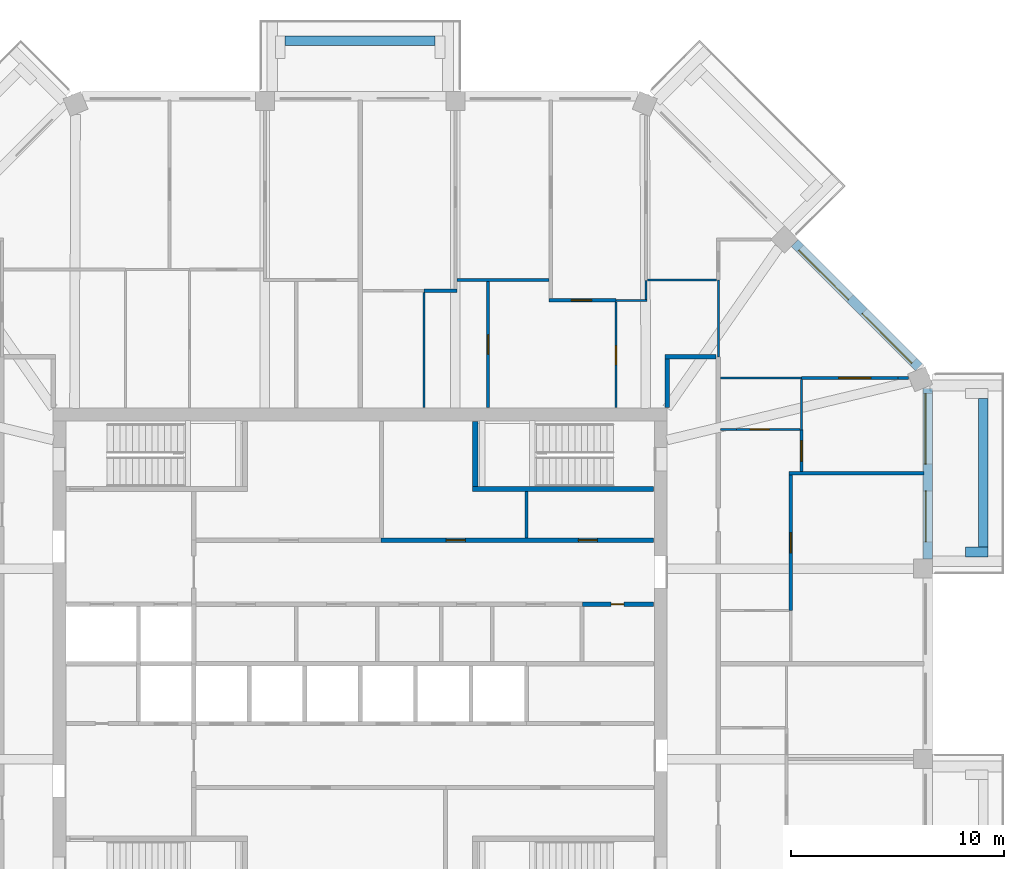
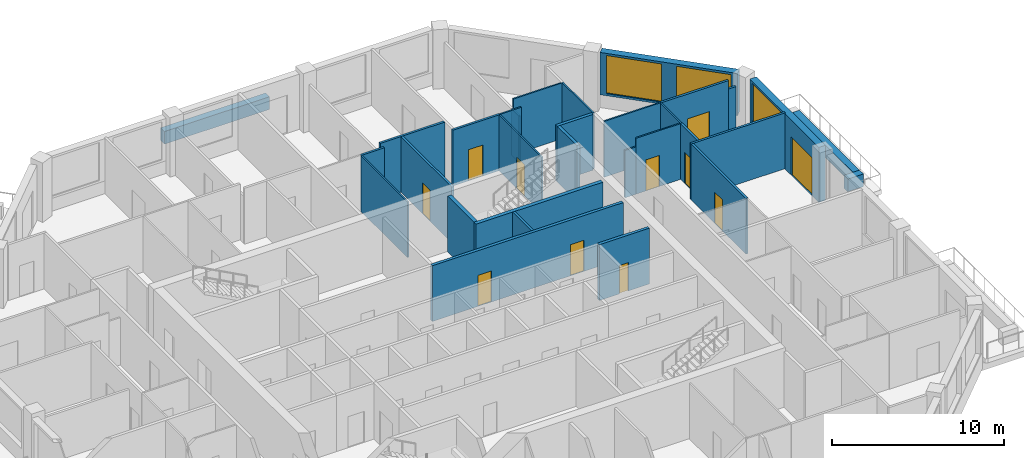
# One storey, part 9 of 12: 31 walls, 11 doors, 3 windows, 14 openings.
"""IFC4 building model written with IfcOpenShell, lengths in metres."""

from ifc_helpers import new_model, si_unit, direction, frame, frame_2d, origin, place, context, subcontext, project, spatial, rectangle, extrude, material, layer, layer_set, type_object, element, fill, save


model = new_model("IFC4")

# Units and contexts
model_context = context("Model", 3, precision=1e-05, world=origin(), true_north=direction((0.0, 1.0)))
body_context = subcontext(model_context, "Body", "Model", "MODEL_VIEW")
ifc_project = project(units=[si_unit("LENGTHUNIT", "METRE"), si_unit("AREAUNIT", "SQUARE_METRE"), si_unit("VOLUMEUNIT", "CUBIC_METRE"), si_unit("PLANEANGLEUNIT", "RADIAN"), si_unit("MASSUNIT", "GRAM", prefix="KILO")], contexts=[model_context])

# Site, building, storey
site_placement = place(None, origin())
site = spatial("IfcSite", under=ifc_project, at=site_placement, CompositionType="ELEMENT")
building_placement = place(site_placement, origin())
building = spatial("IfcBuilding", under=site, at=building_placement, Name="Msitu Wima Residences", CompositionType="ELEMENT")
storey_placement = place(building_placement, frame((0.0, 0.0, 276.89990234375)))
storey = spatial("IfcBuildingStorey", under=building, at=storey_placement, Name="L64", CompositionType="ELEMENT", Elevation=276.89990234375)

# Walls
ifc_material_1 = material(Name="Facing brick")
ifc_layer_1 = layer(ifc_material_1, 0.06494140625, Name="Facing brick")
ifc_material_2 = material(Name="Concrete C40/50", Category="concrete")
ifc_layer_2 = layer(ifc_material_2, 0.156005859375, Name="Concrete C40/50")
ifc_material_3 = material(Name="Waterproofing membrane")
ifc_layer_3 = layer(ifc_material_3, 0.00390625, Name="Waterproofing membrane")
ifc_material_4 = material(Name="Planting soil and planting")
ifc_layer_4 = layer(ifc_material_4, 0.22509765625, Name="Planting soil and planting")
ifc_layer_set_1 = layer_set([ifc_layer_1, ifc_layer_2, ifc_layer_3, ifc_layer_4], Name="Concrete C40/50")
wall_type_1 = type_object("IfcWallType", Name="Balcony planter PLANTER PL450", PredefinedType="USERDEFINED", material=ifc_layer_set_1)
wall_1_placement = place(storey_placement, frame((29.22509765625, 5.468505859375, 0.0), z_axis=(0.0, 0.0, 1.0), x_axis=(0.0, 1.0, 0.0)))
element("IfcWall", 1, at=wall_1_placement, inside=storey, type_object=wall_type_1, Name="Balcony planter E2 L64", ObjectType="PLANTER", PredefinedType="USERDEFINED", context=body_context, shape_type="SweptSolid", body=[
    extrude(rectangle(XDim=6.9873046875, YDim=0.449951171875, at=frame_2d((3.49365234375, 0.0))), origin(), (0.0, 0.0, 1.0), 0.900146484375),
])
wall_2_placement = place(storey_placement, frame((28.39990234375, 5.24365234375, 0.0), z_axis=(0.0, 0.0, 1.0), x_axis=(1.0, 0.0, 0.0)))
element("IfcWall", 2, at=wall_2_placement, inside=storey, type_object=wall_type_1, Name="Balcony planter E2 L64", ObjectType="PLANTER", PredefinedType="USERDEFINED", context=body_context, shape_type="SweptSolid", body=[
    extrude(rectangle(XDim=1.050048828125, YDim=0.449951171875, at=frame_2d((0.52490234375, 0.0))), origin(), (0.0, 0.0, 1.0), 0.900146484375),
])
wall_3_placement = place(storey_placement, frame((3.5185546875, 29.22509765625, 0.0), z_axis=(0.0, 0.0, 1.0), x_axis=(-1.0, 0.0, 0.0)))
element("IfcWall", 3, at=wall_3_placement, inside=storey, type_object=wall_type_1, Name="Balcony planter N1 L64", ObjectType="PLANTER", PredefinedType="USERDEFINED", context=body_context, shape_type="SweptSolid", body=[
    extrude(rectangle(XDim=7.037109375, YDim=0.449951171875, at=frame_2d((3.5185546875, 0.0))), origin(), (0.0, 0.0, 1.0), 0.900146484375),
])

# Wall, openings, door, window
ifc_material_5 = material(Name="Brick (red buff mix)", Category="masonry")
ifc_layer_5 = layer(ifc_material_5, 0.449951171875)
ifc_layer_set_2 = layer_set([ifc_layer_5], Name="Brick (red buff mix)")
wall_type_2 = type_object("IfcWallType", Name="Brick infill wall BW450", PredefinedType="SOLIDWALL", material=ifc_layer_set_2)
wall_4_placement = place(storey_placement, frame((26.625, 4.918701171875, 0.0), z_axis=(0.0, 0.0, 1.0), x_axis=(0.0, 1.0, 0.0)))
wall_4 = element("IfcWall", 4, at=wall_4_placement, inside=storey, type_object=wall_type_2, Name="Brick infill wall L64 E2", PredefinedType="SOLIDWALL", context=body_context, shape_type="SweptSolid", body=[
    extrude(rectangle(XDim=8.0, YDim=0.449951171875, at=frame_2d((4.0, 0.0))), origin(), (0.0, 0.0, 1.0), 3.900146484375),
])
opening_1_placement = place(wall_4_placement, frame((0.800048828125, 0.0, 0.0)))
opening_1 = element("IfcOpeningElement", 5, at=opening_1_placement, cuts=wall_4, Name="Opening D63-64.002", PredefinedType="OPENING", context=body_context, shape_type="SweptSolid", body=[
    extrude(rectangle(XDim=2.39990234375, YDim=2.699951171875, at=frame_2d((1.199951171875, 1.35009765625))), frame((0.0, 0.23486328125, 0.0), z_axis=(0.0, -1.0, 0.0), x_axis=(1.0, 0.0, 0.0)), (0.0, 0.0, 1.0), 0.469970703125),
])
opening_2_placement = place(wall_4_placement, frame((4.4501953125, 0.0, 1.050048828125)))
opening_2 = element("IfcOpeningElement", 6, at=opening_2_placement, cuts=wall_4, Name="Opening W63-64.004", PredefinedType="OPENING", context=body_context, shape_type="SweptSolid", body=[
    extrude(rectangle(XDim=3.300048828125, YDim=2.699951171875, at=frame_2d((1.64990234375, 1.35009765625))), frame((0.0, 0.23486328125, 0.0), z_axis=(0.0, -1.0, 0.0), x_axis=(1.0, 0.0, 0.0)), (0.0, 0.0, 1.0), 0.469970703125),
])
ifc_material_6 = material(Name="Anodised aluminium, bronze finish, clear low-emissivity double glazing", Category="aluminium")
door_type_1 = type_object("IfcDoorType", Name="Balcony door D2400x2700", OperationType="SLIDING_TO_LEFT", PredefinedType="DOOR", material=ifc_material_6)
door_1_placement = place(opening_1_placement, origin())
door_1 = element("IfcDoor", 7, at=door_1_placement, inside=storey, type_object=door_type_1, Name="Balcony door L64 E2", OperationType="SINGLE_SWING_LEFT", OverallHeight=2.699951171875, OverallWidth=2.39990234375, PredefinedType="DOOR", context=body_context, shape_type="SweptSolid", body=[
    extrude(rectangle(XDim=2.39990234375, YDim=2.699951171875, at=frame_2d((1.199951171875, 1.35009765625))), frame((0.0, 0.1298828125, 0.0), z_axis=(0.0, -1.0, 0.0), x_axis=(1.0, 0.0, 0.0)), (0.0, 0.0, 1.0), 0.050048828125),
])
fill(opening_1, door_1)
window_type = type_object("IfcWindowType", Name="Window W3300x2700", PartitioningType="DOUBLE_PANEL_VERTICAL", PredefinedType="WINDOW", material=ifc_material_6)
window_1_placement = place(opening_2_placement, origin())
window_1 = element("IfcWindow", 8, at=window_1_placement, inside=storey, type_object=window_type, Name="Window L64 E2.2", OverallHeight=2.699951171875, OverallWidth=3.300048828125, PartitioningType="SINGLE_PANEL", PredefinedType="WINDOW", context=body_context, shape_type="SweptSolid", body=[
    extrude(rectangle(XDim=3.300048828125, YDim=2.699951171875, at=frame_2d((1.64990234375, 1.35009765625))), frame((0.0, 0.135009765625, 0.0), z_axis=(0.0, -1.0, 0.0), x_axis=(1.0, 0.0, 0.0)), (0.0, 0.0, 1.0), 0.06005859375),
])
fill(opening_2, window_1)

# Wall, openings, windows
wall_5_placement = place(storey_placement, frame((26.214599609375, 13.909423828125, 0.900146484375), z_axis=(0.0, 0.0, 1.0), x_axis=(-0.707106781187, 0.707106781187, 0.0)))
wall_5 = element("IfcWall", 9, at=wall_5_placement, inside=storey, type_object=wall_type_2, Name="Brick infill wall L64 NE0", PredefinedType="SOLIDWALL", context=body_context, shape_type="SweptSolid", body=[
    extrude(rectangle(XDim=8.251220703125, YDim=0.449951171875, at=frame_2d((4.12548828125, 0.0))), origin(), (0.0, 0.0, 1.0), 3.0),
])
opening_3_placement = place(wall_5_placement, frame((0.37548828125, 0.0, 0.14990234375)))
opening_3 = element("IfcOpeningElement", 10, at=opening_3_placement, cuts=wall_5, Name="Opening W63-64.010", PredefinedType="OPENING", context=body_context, shape_type="SweptSolid", body=[
    extrude(rectangle(XDim=3.300048828125, YDim=2.699951171875, at=frame_2d((1.64990234375, 1.35009765625))), frame((0.0, 0.23486328125, 0.0), z_axis=(0.0, -1.0, 0.0), x_axis=(1.0, 0.0, 0.0)), (0.0, 0.0, 1.0), 0.469970703125),
])
opening_4_placement = place(wall_5_placement, frame((4.57568359375, 0.0, 0.14990234375)))
opening_4 = element("IfcOpeningElement", 11, at=opening_4_placement, cuts=wall_5, Name="Opening W63-64.011", PredefinedType="OPENING", context=body_context, shape_type="SweptSolid", body=[
    extrude(rectangle(XDim=3.300048828125, YDim=2.699951171875, at=frame_2d((1.64990234375, 1.35009765625))), frame((0.0, 0.23486328125, 0.0), z_axis=(0.0, -1.0, 0.0), x_axis=(1.0, 0.0, 0.0)), (0.0, 0.0, 1.0), 0.469970703125),
])
window_2_placement = place(opening_3_placement, origin())
window_2 = element("IfcWindow", 12, at=window_2_placement, inside=storey, type_object=window_type, Name="Window L64 NE0.1", OverallHeight=2.699951171875, OverallWidth=3.300048828125, PartitioningType="SINGLE_PANEL", PredefinedType="WINDOW", context=body_context, shape_type="SweptSolid", body=[
    extrude(rectangle(XDim=3.300048828125, YDim=2.699951171875, at=frame_2d((1.64990234375, 1.35009765625))), frame((0.0, 0.135009765625, 0.0), z_axis=(0.0, -1.0, 0.0), x_axis=(1.0, 0.0, 0.0)), (0.0, 0.0, 1.0), 0.06005859375),
])
fill(opening_3, window_2)
window_3_placement = place(opening_4_placement, origin())
window_3 = element("IfcWindow", 13, at=window_3_placement, inside=storey, type_object=window_type, Name="Window L64 NE0.2", OverallHeight=2.699951171875, OverallWidth=3.300048828125, PartitioningType="SINGLE_PANEL", PredefinedType="WINDOW", context=body_context, shape_type="SweptSolid", body=[
    extrude(rectangle(XDim=3.300048828125, YDim=2.699951171875, at=frame_2d((1.64990234375, 1.35009765625))), frame((0.0, 0.135009765625, 0.0), z_axis=(0.0, -1.0, 0.0), x_axis=(1.0, 0.0, 0.0)), (0.0, 0.0, 1.0), 0.06005859375),
])
fill(opening_4, window_3)

# Wall, openings, doors
ifc_material_7 = material(Name="Plaster")
ifc_layer_6 = layer(ifc_material_7, 0.011962890625, Name="Plaster")
ifc_material_8 = material(Name="Concrete blockwork", Category="masonry")
ifc_layer_7 = layer(ifc_material_8, 0.176025390625, Name="Concrete blockwork")
ifc_layer_8 = layer(ifc_material_7, 0.011962890625, Name="Plaster")
ifc_layer_set_3 = layer_set([ifc_layer_6, ifc_layer_7, ifc_layer_8], Name="Concrete blockwork")
wall_type_3 = type_object("IfcWallType", Name="Corridor wall FW200", PredefinedType="PARTITIONING", material=ifc_layer_set_3)
wall_6_placement = place(storey_placement, frame((0.97998046875, 5.800048828125, 0.0), z_axis=(0.0, 0.0, 1.0), x_axis=(1.0, 0.0, 0.0)))
wall_6 = element("IfcWall", 14, at=wall_6_placement, inside=storey, type_object=wall_type_3, Name="Corridor wall", PredefinedType="PARTITIONING", context=body_context, shape_type="SweptSolid", body=[
    extrude(rectangle(XDim=12.7900390625, YDim=0.199951171875, at=frame_2d((6.39501953125, 0.0))), origin(), (0.0, 0.0, 1.0), 3.9501953125),
])
opening_5_placement = place(wall_6_placement, frame((3.050048828125, 0.0, 0.0)))
opening_5 = element("IfcOpeningElement", 15, at=opening_5_placement, cuts=wall_6, Name="Opening D63-64.073", PredefinedType="OPENING", context=body_context, shape_type="SweptSolid", body=[
    extrude(rectangle(XDim=0.89990234375, YDim=2.199951171875, at=frame_2d((0.449951171875, 1.10009765625))), frame((0.0, 0.10986328125, 0.0), z_axis=(0.0, -1.0, 0.0), x_axis=(1.0, 0.0, 0.0)), (0.0, 0.0, 1.0), 0.219970703125),
])
opening_6_placement = place(wall_6_placement, frame((9.25, 0.0, 0.0)))
opening_6 = element("IfcOpeningElement", 16, at=opening_6_placement, cuts=wall_6, Name="Opening D63-64.074", PredefinedType="OPENING", context=body_context, shape_type="SweptSolid", body=[
    extrude(rectangle(XDim=0.89990234375, YDim=2.199951171875, at=frame_2d((0.449951171875, 1.10009765625))), frame((0.0, 0.10986328125, 0.0), z_axis=(0.0, -1.0, 0.0), x_axis=(1.0, 0.0, 0.0)), (0.0, 0.0, 1.0), 0.219970703125),
])
ifc_material_9 = material(Name="Timber flush door", Category="wood")
door_type_2 = type_object("IfcDoorType", Name="Service door D05 900x2200", OperationType="SINGLE_SWING_LEFT", PredefinedType="DOOR", material=ifc_material_9)
door_2_placement = place(opening_5_placement, origin())
door_2 = element("IfcDoor", 17, at=door_2_placement, inside=storey, type_object=door_type_2, Name="Service door", OperationType="SINGLE_SWING_RIGHT", OverallHeight=2.199951171875, OverallWidth=0.89990234375, PredefinedType="DOOR", context=body_context, shape_type="SweptSolid", body=[
    extrude(rectangle(XDim=0.89990234375, YDim=2.199951171875, at=frame_2d((0.449951171875, 1.10009765625))), frame((0.0, 0.02490234375, 0.0), z_axis=(0.0, -1.0, 0.0), x_axis=(1.0, 0.0, 0.0)), (0.0, 0.0, 1.0), 0.050048828125),
])
fill(opening_5, door_2)
door_3_placement = place(opening_6_placement, origin())
door_3 = element("IfcDoor", 18, at=door_3_placement, inside=storey, type_object=door_type_2, Name="Service door", OperationType="SINGLE_SWING_LEFT", OverallHeight=2.199951171875, OverallWidth=0.89990234375, PredefinedType="DOOR", context=body_context, shape_type="SweptSolid", body=[
    extrude(rectangle(XDim=0.89990234375, YDim=2.199951171875, at=frame_2d((0.449951171875, 1.10009765625))), frame((0.0, 0.02490234375, 0.0), z_axis=(0.0, -1.0, 0.0), x_axis=(1.0, 0.0, 0.0)), (0.0, 0.0, 1.0), 0.050048828125),
])
fill(opening_6, door_3)

# Walls
wall_7_placement = place(storey_placement, frame((14.39990234375, 12.030029296875, 0.0), z_axis=(0.0, 0.0, 1.0), x_axis=(0.0, 1.0, 0.0)))
element("IfcWall", 19, at=wall_7_placement, inside=storey, type_object=wall_type_3, Name="Corridor wall", PredefinedType="PARTITIONING", context=body_context, shape_type="SweptSolid", body=[
    extrude(rectangle(XDim=2.27001953125, YDim=0.199951171875, at=frame_2d((1.135009765625, 0.0))), origin(), (0.0, 0.0, 1.0), 3.9501953125),
])
wall_8_placement = place(storey_placement, frame((14.300048828125, 14.39990234375, 0.0), z_axis=(0.0, 0.0, 1.0), x_axis=(1.0, 0.0, 0.0)))
element("IfcWall", 20, at=wall_8_placement, inside=storey, type_object=wall_type_3, Name="Corridor wall", PredefinedType="PARTITIONING", context=body_context, shape_type="SweptSolid", body=[
    extrude(rectangle(XDim=2.39990234375, YDim=0.199951171875, at=frame_2d((1.199951171875, 0.0))), origin(), (0.0, 0.0, 1.0), 3.9501953125),
])
ifc_layer_9 = layer(ifc_material_7, 0.011962890625, Name="Plaster")
ifc_layer_10 = layer(ifc_material_8, 0.1259765625, Name="Concrete blockwork")
ifc_layer_11 = layer(ifc_material_7, 0.011962890625, Name="Plaster")
ifc_layer_set_4 = layer_set([ifc_layer_9, ifc_layer_10, ifc_layer_11], Name="Concrete blockwork")
wall_type_4 = type_object("IfcWallType", Name="Partition PW150", PredefinedType="PARTITIONING", material=ifc_layer_set_4)
wall_9_placement = place(storey_placement, frame((3.0, 17.5, 0.0), z_axis=(0.0, 0.0, 1.0), x_axis=(1.0, 0.0, 0.0)))
element("IfcWall", 21, at=wall_9_placement, inside=storey, type_object=wall_type_4, Name="Partition", PredefinedType="PARTITIONING", context=body_context, shape_type="SweptSolid", body=[
    extrude(rectangle(XDim=1.543701171875, YDim=0.14990234375, at=frame_2d((0.77197265625, 0.0))), origin(), (0.0, 0.0, 1.0), 3.9501953125),
])
wall_10_placement = place(storey_placement, frame((4.543701171875, 18.0, 0.0), z_axis=(0.0, 0.0, 1.0), x_axis=(1.0, 0.0, 0.0)))
element("IfcWall", 22, at=wall_10_placement, inside=storey, type_object=wall_type_4, Name="Partition", PredefinedType="PARTITIONING", context=body_context, shape_type="SweptSolid", body=[
    extrude(rectangle(XDim=4.318603515625, YDim=0.14990234375, at=frame_2d((2.1591796875, 0.0))), origin(), (0.0, 0.0, 1.0), 3.9501953125),
])

# Wall, opening, door
wall_11_placement = place(storey_placement, frame((6.0, 12.030029296875, 0.0), z_axis=(0.0, 0.0, 1.0), x_axis=(0.0, 1.0, 0.0)))
wall_11 = element("IfcWall", 23, at=wall_11_placement, inside=storey, type_object=wall_type_4, Name="Partition", PredefinedType="PARTITIONING", context=body_context, shape_type="SweptSolid", body=[
    extrude(rectangle(XDim=5.89501953125, YDim=0.14990234375, at=frame_2d((2.947509765625, 0.0))), origin(), (0.0, 0.0, 1.0), 3.9501953125),
])
opening_7_placement = place(wall_11_placement, frame((2.5, 0.0, 0.0)))
opening_7 = element("IfcOpeningElement", 24, at=opening_7_placement, cuts=wall_11, Name="Opening D63-64.014", PredefinedType="OPENING", context=body_context, shape_type="SweptSolid", body=[
    extrude(rectangle(XDim=0.89990234375, YDim=2.199951171875, at=frame_2d((0.449951171875, 1.10009765625))), frame((0.0, 0.0849609375, 0.0), z_axis=(0.0, -1.0, 0.0), x_axis=(1.0, 0.0, 0.0)), (0.0, 0.0, 1.0), 0.169921875),
])
door_4_placement = place(opening_7_placement, origin())
door_4 = element("IfcDoor", 25, at=door_4_placement, inside=storey, type_object=door_type_2, Name="Service door", OperationType="SINGLE_SWING_RIGHT", OverallHeight=2.199951171875, OverallWidth=0.89990234375, PredefinedType="DOOR", context=body_context, shape_type="SweptSolid", body=[
    extrude(rectangle(XDim=0.89990234375, YDim=2.199951171875, at=frame_2d((0.449951171875, 1.10009765625))), frame((0.0, 0.02490234375, 0.0), z_axis=(0.0, -1.0, 0.0), x_axis=(1.0, 0.0, 0.0)), (0.0, 0.0, 1.0), 0.050048828125),
])
fill(opening_7, door_4)

# Wall
wall_12_placement = place(storey_placement, frame((7.800048828125, 5.89990234375, 0.0), z_axis=(0.0, 0.0, 1.0), x_axis=(0.0, 1.0, 0.0)))
element("IfcWall", 26, at=wall_12_placement, inside=storey, type_object=wall_type_4, Name="Partition", PredefinedType="PARTITIONING", context=body_context, shape_type="SweptSolid", body=[
    extrude(rectangle(XDim=2.175048828125, YDim=0.14990234375, at=frame_2d((1.08740234375, 0.0))), origin(), (0.0, 0.0, 1.0), 3.9501953125),
])

# Wall, opening, door
wall_13_placement = place(storey_placement, frame((8.8623046875, 17.050048828125, 0.0), z_axis=(0.0, 0.0, 1.0), x_axis=(1.0, 0.0, 0.0)))
wall_13 = element("IfcWall", 27, at=wall_13_placement, inside=storey, type_object=wall_type_4, Name="Partition", PredefinedType="PARTITIONING", context=body_context, shape_type="SweptSolid", body=[
    extrude(rectangle(XDim=3.1376953125, YDim=0.14990234375, at=frame_2d((1.56884765625, 0.0))), origin(), (0.0, 0.0, 1.0), 3.9501953125),
])
opening_8_placement = place(wall_13_placement, frame((1.050048828125, 0.0, 0.0)))
opening_8 = element("IfcOpeningElement", 28, at=opening_8_placement, cuts=wall_13, Name="Opening D63-64.023", PredefinedType="OPENING", context=body_context, shape_type="SweptSolid", body=[
    extrude(rectangle(XDim=0.949951171875, YDim=2.199951171875, at=frame_2d((0.47509765625, 1.10009765625))), frame((0.0, 0.0849609375, 0.0), z_axis=(0.0, -1.0, 0.0), x_axis=(1.0, 0.0, 0.0)), (0.0, 0.0, 1.0), 0.169921875),
])
door_type_3 = type_object("IfcDoorType", Name="Room door D12 950x2200", OperationType="SINGLE_SWING_LEFT", PredefinedType="DOOR", material=ifc_material_9)
door_5_placement = place(opening_8_placement, origin())
door_5 = element("IfcDoor", 29, at=door_5_placement, inside=storey, type_object=door_type_3, Name="Room door", OperationType="SINGLE_SWING_LEFT", OverallHeight=2.199951171875, OverallWidth=0.949951171875, PredefinedType="DOOR", context=body_context, shape_type="SweptSolid", body=[
    extrude(rectangle(XDim=0.949951171875, YDim=2.199951171875, at=frame_2d((0.47509765625, 1.10009765625))), frame((0.0, 0.02490234375, 0.0), z_axis=(0.0, -1.0, 0.0), x_axis=(1.0, 0.0, 0.0)), (0.0, 0.0, 1.0), 0.050048828125),
])
fill(opening_8, door_5)

wall_14_placement = place(storey_placement, frame((20.199951171875, 2.5, 0.0), z_axis=(0.0, 0.0, 1.0), x_axis=(0.0, 1.0, 0.0)))
wall_14 = element("IfcWall", 30, at=wall_14_placement, inside=storey, type_object=wall_type_4, Name="Partition", PredefinedType="PARTITIONING", context=body_context, shape_type="SweptSolid", body=[
    extrude(rectangle(XDim=6.3623046875, YDim=0.14990234375, at=frame_2d((3.18115234375, 0.0))), origin(), (0.0, 0.0, 1.0), 3.9501953125),
])
opening_9_placement = place(wall_14_placement, frame((2.699951171875, 0.0, 0.0)))
opening_9 = element("IfcOpeningElement", 31, at=opening_9_placement, cuts=wall_14, Name="Opening D63-64.018", PredefinedType="OPENING", context=body_context, shape_type="SweptSolid", body=[
    extrude(rectangle(XDim=0.949951171875, YDim=2.199951171875, at=frame_2d((0.47509765625, 1.10009765625))), frame((0.0, 0.0849609375, 0.0), z_axis=(0.0, -1.0, 0.0), x_axis=(1.0, 0.0, 0.0)), (0.0, 0.0, 1.0), 0.169921875),
])
door_6_placement = place(opening_9_placement, origin())
door_6 = element("IfcDoor", 32, at=door_6_placement, inside=storey, type_object=door_type_3, Name="Room door", OperationType="SINGLE_SWING_LEFT", OverallHeight=2.199951171875, OverallWidth=0.949951171875, PredefinedType="DOOR", context=body_context, shape_type="SweptSolid", body=[
    extrude(rectangle(XDim=0.949951171875, YDim=2.199951171875, at=frame_2d((0.47509765625, 1.10009765625))), frame((0.0, 0.02490234375, 0.0), z_axis=(0.0, -1.0, 0.0), x_axis=(1.0, 0.0, 0.0)), (0.0, 0.0, 1.0), 0.050048828125),
])
fill(opening_9, door_6)

# Wall
wall_15_placement = place(storey_placement, frame((20.125, 8.937255859375, 0.0), z_axis=(0.0, 0.0, 1.0), x_axis=(1.0, 0.0, 0.0)))
element("IfcWall", 33, at=wall_15_placement, inside=storey, type_object=wall_type_4, Name="Partition", PredefinedType="PARTITIONING", context=body_context, shape_type="SweptSolid", body=[
    extrude(rectangle(XDim=6.330078125, YDim=0.14990234375, at=frame_2d((3.1650390625, 0.0))), origin(), (0.0, 0.0, 1.0), 3.9501953125),
])

# Wall, opening, door
wall_16_placement = place(storey_placement, frame((20.699951171875, 9.01220703125, 0.0), z_axis=(0.0, 0.0, 1.0), x_axis=(0.0, 1.0, 0.0)))
wall_16 = element("IfcWall", 34, at=wall_16_placement, inside=storey, type_object=wall_type_4, Name="Partition", PredefinedType="PARTITIONING", context=body_context, shape_type="SweptSolid", body=[
    extrude(rectangle(XDim=1.9677734375, YDim=0.14990234375, at=frame_2d((0.98388671875, 0.0))), origin(), (0.0, 0.0, 1.0), 3.9501953125),
])
opening_10_placement = place(wall_16_placement, frame((0.5, 0.0, 0.0)))
opening_10 = element("IfcOpeningElement", 35, at=opening_10_placement, cuts=wall_16, Name="Opening D63-64.019", PredefinedType="OPENING", context=body_context, shape_type="SweptSolid", body=[
    extrude(rectangle(XDim=0.949951171875, YDim=2.199951171875, at=frame_2d((0.47509765625, 1.10009765625))), frame((0.0, 0.0849609375, 0.0), z_axis=(0.0, -1.0, 0.0), x_axis=(1.0, 0.0, 0.0)), (0.0, 0.0, 1.0), 0.169921875),
])
door_7_placement = place(opening_10_placement, origin())
door_7 = element("IfcDoor", 36, at=door_7_placement, inside=storey, type_object=door_type_3, Name="Room door", OperationType="SINGLE_SWING_RIGHT", OverallHeight=2.199951171875, OverallWidth=0.949951171875, PredefinedType="DOOR", context=body_context, shape_type="SweptSolid", body=[
    extrude(rectangle(XDim=0.949951171875, YDim=2.199951171875, at=frame_2d((0.47509765625, 1.10009765625))), frame((0.0, 0.02490234375, 0.0), z_axis=(0.0, -1.0, 0.0), x_axis=(1.0, 0.0, 0.0)), (0.0, 0.0, 1.0), 0.050048828125),
])
fill(opening_10, door_7)

wall_17_placement = place(storey_placement, frame((20.699951171875, 13.406005859375, 0.0), z_axis=(0.0, 0.0, 1.0), x_axis=(1.0, 0.0, 0.0)))
wall_17 = element("IfcWall", 37, at=wall_17_placement, inside=storey, type_object=wall_type_4, Name="Partition", PredefinedType="PARTITIONING", context=body_context, shape_type="SweptSolid", body=[
    extrude(rectangle(XDim=4.524169921875, YDim=0.14990234375, at=frame_2d((2.26220703125, 0.0))), origin(), (0.0, 0.0, 1.0), 3.9501953125),
])
opening_11_placement = place(wall_17_placement, frame((1.75, 0.0, 0.0)))
opening_11 = element("IfcOpeningElement", 38, at=opening_11_placement, cuts=wall_17, Name="Opening D63-64.020", PredefinedType="OPENING", context=body_context, shape_type="SweptSolid", body=[
    extrude(rectangle(XDim=1.5, YDim=2.199951171875, at=frame_2d((0.75, 1.10009765625))), frame((0.0, 0.0849609375, 0.0), z_axis=(0.0, -1.0, 0.0), x_axis=(1.0, 0.0, 0.0)), (0.0, 0.0, 1.0), 0.169921875),
])
ifc_material_10 = material(Name="Timber double door", Category="wood")
door_type_4 = type_object("IfcDoorType", Name="Double door D04 1500x2200", OperationType="DOUBLE_DOOR_SINGLE_SWING", PredefinedType="DOOR", material=ifc_material_10)
door_8_placement = place(opening_11_placement, origin())
door_8 = element("IfcDoor", 39, at=door_8_placement, inside=storey, type_object=door_type_4, Name="Double door", OperationType="DOUBLE_DOOR_SINGLE_SWING", OverallHeight=2.199951171875, OverallWidth=1.5, PredefinedType="DOOR", context=body_context, shape_type="SweptSolid", body=[
    extrude(rectangle(XDim=1.5, YDim=2.199951171875, at=frame_2d((0.75, 1.10009765625))), frame((0.0, 0.02490234375, 0.0), z_axis=(0.0, -1.0, 0.0), x_axis=(1.0, 0.0, 0.0)), (0.0, 0.0, 1.0), 0.050048828125),
])
fill(opening_11, door_8)

# Wall
wall_18_placement = place(storey_placement, frame((25.22412109375, 13.406005859375, 0.0), z_axis=(0.0, 0.0, 1.0), x_axis=(1.0, 0.0, 0.0)))
element("IfcWall", 40, at=wall_18_placement, inside=storey, type_object=wall_type_4, Name="Partition", PredefinedType="PARTITIONING", context=body_context, shape_type="SweptSolid", body=[
    extrude(rectangle(XDim=0.507080078125, YDim=0.14990234375, at=frame_2d((0.25341796875, 0.0))), origin(), (0.0, 0.0, 1.0), 3.35009765625),
])

# Wall, opening, door
ifc_layer_12 = layer(ifc_material_7, 0.011962890625, Name="Plaster")
ifc_material_11 = material(Name="Reinforced concrete blockwork", Category="masonry")
ifc_layer_13 = layer(ifc_material_11, 0.176025390625, Name="Reinforced concrete blockwork")
ifc_layer_14 = layer(ifc_material_7, 0.011962890625, Name="Plaster")
ifc_layer_set_5 = layer_set([ifc_layer_12, ifc_layer_13, ifc_layer_14], Name="Reinforced concrete blockwork")
wall_type_5 = type_object("IfcWallType", Name="Plant and riser wall PL200", PredefinedType="PARTITIONING", material=ifc_layer_set_5)
wall_19_placement = place(storey_placement, frame((10.419921875, 2.800048828125, 0.0), z_axis=(0.0, 0.0, 1.0), x_axis=(1.0, 0.0, 0.0)))
wall_19 = element("IfcWall", 41, at=wall_19_placement, inside=storey, type_object=wall_type_5, Name="Plant and riser wall", PredefinedType="PARTITIONING", context=body_context, shape_type="SweptSolid", body=[
    extrude(rectangle(XDim=3.35009765625, YDim=0.199951171875, at=frame_2d((1.675048828125, 0.0))), origin(), (0.0, 0.0, 1.0), 3.9501953125),
])
opening_12_placement = place(wall_19_placement, frame((1.35009765625, 0.0, 0.0)))
opening_12 = element("IfcOpeningElement", 42, at=opening_12_placement, cuts=wall_19, Name="Opening D63-64.084", PredefinedType="OPENING", context=body_context, shape_type="SweptSolid", body=[
    extrude(rectangle(XDim=0.60009765625, YDim=2.0, at=frame_2d((0.300048828125, 1.0))), frame((0.0, 0.10986328125, 0.0), z_axis=(0.0, -1.0, 0.0), x_axis=(1.0, 0.0, 0.0)), (0.0, 0.0, 1.0), 0.219970703125),
])
ifc_material_12 = material(Name="Steel access door, fire resisting", Category="steel")
door_type_5 = type_object("IfcDoorType", Name="Riser access door D08 600x2000", OperationType="SINGLE_SWING_LEFT", PredefinedType="DOOR", material=ifc_material_12)
door_9_placement = place(opening_12_placement, origin())
door_9 = element("IfcDoor", 43, at=door_9_placement, inside=storey, type_object=door_type_5, Name="Riser access door", OperationType="SINGLE_SWING_RIGHT", OverallHeight=2.0, OverallWidth=0.60009765625, PredefinedType="DOOR", context=body_context, shape_type="SweptSolid", body=[
    extrude(rectangle(XDim=0.60009765625, YDim=2.0, at=frame_2d((0.300048828125, 1.0))), frame((0.0, 0.02490234375, 0.0), z_axis=(0.0, -1.0, 0.0), x_axis=(1.0, 0.0, 0.0)), (0.0, 0.0, 1.0), 0.050048828125),
])
fill(opening_12, door_9)

# Walls
ifc_material_13 = material(Name="Concrete C50/60", Category="concrete")
ifc_layer_15 = layer(ifc_material_13, 0.25)
ifc_layer_set_6 = layer_set([ifc_layer_15], Name="Concrete C50/60")
wall_type_6 = type_object("IfcWallType", Name="Stair enclosure wall SW250", PredefinedType="SHEAR", material=ifc_layer_set_6)
wall_20_placement = place(storey_placement, frame((5.39990234375, 8.324951171875, 0.0), z_axis=(0.0, 0.0, 1.0), x_axis=(0.0, 1.0, 0.0)))
element("IfcWall", 44, at=wall_20_placement, inside=storey, type_object=wall_type_6, Name="Stair enclosure wall", PredefinedType="SHEAR", context=body_context, shape_type="SweptSolid", body=[
    extrude(rectangle(XDim=3.045166015625, YDim=0.25, at=frame_2d((1.5224609375, 0.0))), origin(), (0.0, 0.0, 1.0), 3.9501953125),
])
wall_21_placement = place(storey_placement, frame((5.27490234375, 8.199951171875, 0.0), z_axis=(0.0, 0.0, 1.0), x_axis=(1.0, 0.0, 0.0)))
element("IfcWall", 45, at=wall_21_placement, inside=storey, type_object=wall_type_6, Name="Stair enclosure wall", PredefinedType="SHEAR", context=body_context, shape_type="SweptSolid", body=[
    extrude(rectangle(XDim=8.4951171875, YDim=0.25, at=frame_2d((4.24755859375, 0.0))), origin(), (0.0, 0.0, 1.0), 3.9501953125),
])
ifc_material_14 = material(Name="Ceramic tiles")
ifc_layer_16 = layer(ifc_material_14, 0.008056640625, Name="Ceramic tiles")
ifc_material_15 = material(Name="Moisture-resistant board")
ifc_layer_17 = layer(ifc_material_15, 0.012451171875, Name="Moisture-resistant board")
ifc_material_16 = material(Name="Light-gauge stud framing with mineral wool")
ifc_layer_18 = layer(ifc_material_16, 0.06689453125, Name="Light-gauge stud framing with mineral wool")
ifc_layer_19 = layer(ifc_material_15, 0.012451171875, Name="Moisture-resistant board")
ifc_layer_set_7 = layer_set([ifc_layer_16, ifc_layer_17, ifc_layer_18, ifc_layer_19], Name="Light-gauge stud framing with mineral wool")
wall_type_7 = type_object("IfcWallType", Name="Wet wall PW100", PredefinedType="PARTITIONING", material=ifc_layer_set_7)
wall_22_placement = place(storey_placement, frame((3.0, 12.030029296875, 0.0), z_axis=(0.0, 0.0, 1.0), x_axis=(0.0, 1.0, 0.0)))
element("IfcWall", 46, at=wall_22_placement, inside=storey, type_object=wall_type_7, Name="Wet wall", PredefinedType="PARTITIONING", context=body_context, shape_type="SweptSolid", body=[
    extrude(rectangle(XDim=5.39501953125, YDim=0.10009765625, at=frame_2d((2.697509765625, 0.0))), origin(), (0.0, 0.0, 1.0), 3.9501953125),
])
wall_23_placement = place(storey_placement, frame((12.0, 17.050048828125, 0.0), z_axis=(0.0, 0.0, 1.0), x_axis=(1.0, 0.0, 0.0)))
element("IfcWall", 47, at=wall_23_placement, inside=storey, type_object=wall_type_7, Name="Wet wall", PredefinedType="PARTITIONING", context=body_context, shape_type="SweptSolid", body=[
    extrude(rectangle(XDim=1.455810546875, YDim=0.10009765625, at=frame_2d((0.72802734375, 0.0))), origin(), (0.0, 0.0, 1.0), 3.9501953125),
])

# Wall, opening, door
wall_24_placement = place(storey_placement, frame((12.0, 12.030029296875, 0.0), z_axis=(0.0, 0.0, 1.0), x_axis=(0.0, 1.0, 0.0)))
wall_24 = element("IfcWall", 48, at=wall_24_placement, inside=storey, type_object=wall_type_7, Name="Wet wall", PredefinedType="PARTITIONING", context=body_context, shape_type="SweptSolid", body=[
    extrude(rectangle(XDim=4.945068359375, YDim=0.10009765625, at=frame_2d((2.47265625, 0.0))), origin(), (0.0, 0.0, 1.0), 3.9501953125),
])
opening_13_placement = place(wall_24_placement, frame((2.0, 0.0, 0.0)))
opening_13 = element("IfcOpeningElement", 49, at=opening_13_placement, cuts=wall_24, Name="Opening D63-64.024", PredefinedType="OPENING", context=body_context, shape_type="SweptSolid", body=[
    extrude(rectangle(XDim=0.89990234375, YDim=2.199951171875, at=frame_2d((0.449951171875, 1.10009765625))), frame((0.0, 0.06005859375, 0.0), z_axis=(0.0, -1.0, 0.0), x_axis=(1.0, 0.0, 0.0)), (0.0, 0.0, 1.0), 0.1201171875),
])
door_10_placement = place(opening_13_placement, origin())
door_10 = element("IfcDoor", 50, at=door_10_placement, inside=storey, type_object=door_type_2, Name="Service door", OperationType="SINGLE_SWING_LEFT", OverallHeight=2.199951171875, OverallWidth=0.89990234375, PredefinedType="DOOR", context=body_context, shape_type="SweptSolid", body=[
    extrude(rectangle(XDim=0.89990234375, YDim=2.199951171875, at=frame_2d((0.449951171875, 1.10009765625))), frame((0.0, 0.02490234375, 0.0), z_axis=(0.0, -1.0, 0.0), x_axis=(1.0, 0.0, 0.0)), (0.0, 0.0, 1.0), 0.050048828125),
])
fill(opening_13, door_10)

# Walls
wall_25_placement = place(storey_placement, frame((13.406005859375, 17.10009765625, 0.0), z_axis=(0.0, 0.0, 1.0), x_axis=(0.0, 1.0, 0.0)))
element("IfcWall", 51, at=wall_25_placement, inside=storey, type_object=wall_type_7, Name="Wet wall", PredefinedType="PARTITIONING", context=body_context, shape_type="SweptSolid", body=[
    extrude(rectangle(XDim=0.8798828125, YDim=0.10009765625, at=frame_2d((0.43994140625, 0.0))), origin(), (0.0, 0.0, 1.0), 3.300048828125),
])
wall_26_placement = place(storey_placement, frame((13.48095703125, 18.0, 0.0), z_axis=(0.0, 0.0, 1.0), x_axis=(1.0, 0.0, 0.0)))
element("IfcWall", 52, at=wall_26_placement, inside=storey, type_object=wall_type_7, Name="Wet wall", PredefinedType="PARTITIONING", context=body_context, shape_type="SweptSolid", body=[
    extrude(rectangle(XDim=3.244140625, YDim=0.10009765625, at=frame_2d((1.6220703125, 0.0))), origin(), (0.0, 0.0, 1.0), 3.9501953125),
])
wall_27_placement = place(storey_placement, frame((16.89990234375, 11.0, 0.0), z_axis=(0.0, 0.0, 1.0), x_axis=(1.0, 0.0, 0.0)))
element("IfcWall", 53, at=wall_27_placement, inside=storey, type_object=wall_type_7, Name="Wet wall", PredefinedType="PARTITIONING", context=body_context, shape_type="SweptSolid", body=[
    extrude(rectangle(XDim=0.75390625, YDim=0.10009765625, at=frame_2d((0.376953125, 0.0))), origin(), (0.0, 0.0, 1.0), 3.35009765625),
])

# Wall, opening, door
wall_28_placement = place(storey_placement, frame((17.65380859375, 11.0, 0.0), z_axis=(0.0, 0.0, 1.0), x_axis=(1.0, 0.0, 0.0)))
wall_28 = element("IfcWall", 54, at=wall_28_placement, inside=storey, type_object=wall_type_7, Name="Wet wall", PredefinedType="PARTITIONING", context=body_context, shape_type="SweptSolid", body=[
    extrude(rectangle(XDim=2.97119140625, YDim=0.10009765625, at=frame_2d((1.485595703125, 0.0))), origin(), (0.0, 0.0, 1.0), 3.9501953125),
])
opening_14_placement = place(wall_28_placement, frame((0.646240234375, 0.0, 0.0)))
opening_14 = element("IfcOpeningElement", 55, at=opening_14_placement, cuts=wall_28, Name="Opening D63-64.017", PredefinedType="OPENING", context=body_context, shape_type="SweptSolid", body=[
    extrude(rectangle(XDim=0.89990234375, YDim=2.199951171875, at=frame_2d((0.449951171875, 1.10009765625))), frame((0.0, 0.06005859375, 0.0), z_axis=(0.0, -1.0, 0.0), x_axis=(1.0, 0.0, 0.0)), (0.0, 0.0, 1.0), 0.1201171875),
])
ifc_material_17 = material(Name="Timber flush door, moisture resistant", Category="wood")
door_type_6 = type_object("IfcDoorType", Name="Bathroom door D03 900x2200", OperationType="SINGLE_SWING_LEFT", PredefinedType="DOOR", material=ifc_material_17)
door_11_placement = place(opening_14_placement, origin())
door_11 = element("IfcDoor", 56, at=door_11_placement, inside=storey, type_object=door_type_6, Name="Bathroom door", OperationType="SINGLE_SWING_LEFT", OverallHeight=2.199951171875, OverallWidth=0.89990234375, PredefinedType="DOOR", context=body_context, shape_type="SweptSolid", body=[
    extrude(rectangle(XDim=0.89990234375, YDim=2.199951171875, at=frame_2d((0.449951171875, 1.10009765625))), frame((0.0, 0.02490234375, 0.0), z_axis=(0.0, -1.0, 0.0), x_axis=(1.0, 0.0, 0.0)), (0.0, 0.0, 1.0), 0.050048828125),
])
fill(opening_14, door_11)

# Walls
wall_29_placement = place(storey_placement, frame((16.89990234375, 13.406005859375, 0.0), z_axis=(0.0, 0.0, 1.0), x_axis=(1.0, 0.0, 0.0)))
element("IfcWall", 57, at=wall_29_placement, inside=storey, type_object=wall_type_7, Name="Wet wall", PredefinedType="PARTITIONING", context=body_context, shape_type="SweptSolid", body=[
    extrude(rectangle(XDim=3.800048828125, YDim=0.10009765625, at=frame_2d((1.89990234375, 0.0))), origin(), (0.0, 0.0, 1.0), 3.9501953125),
])
wall_30_placement = place(storey_placement, frame((16.800048828125, 14.39990234375, 0.0), z_axis=(0.0, 0.0, 1.0), x_axis=(0.0, 1.0, 0.0)))
element("IfcWall", 58, at=wall_30_placement, inside=storey, type_object=wall_type_7, Name="Wet wall", PredefinedType="PARTITIONING", context=body_context, shape_type="SweptSolid", body=[
    extrude(rectangle(XDim=3.60009765625, YDim=0.10009765625, at=frame_2d((1.800048828125, 0.0))), origin(), (0.0, 0.0, 1.0), 3.9501953125),
])
wall_31_placement = place(storey_placement, frame((20.699951171875, 10.97998046875, 0.0), z_axis=(0.0, 0.0, 1.0), x_axis=(0.0, 1.0, 0.0)))
element("IfcWall", 59, at=wall_31_placement, inside=storey, type_object=wall_type_7, Name="Wet wall", PredefinedType="PARTITIONING", context=body_context, shape_type="SweptSolid", body=[
    extrude(rectangle(XDim=2.350830078125, YDim=0.10009765625, at=frame_2d((1.17529296875, 0.0))), origin(), (0.0, 0.0, 1.0), 3.9501953125),
])

save(model, "model.ifc")
